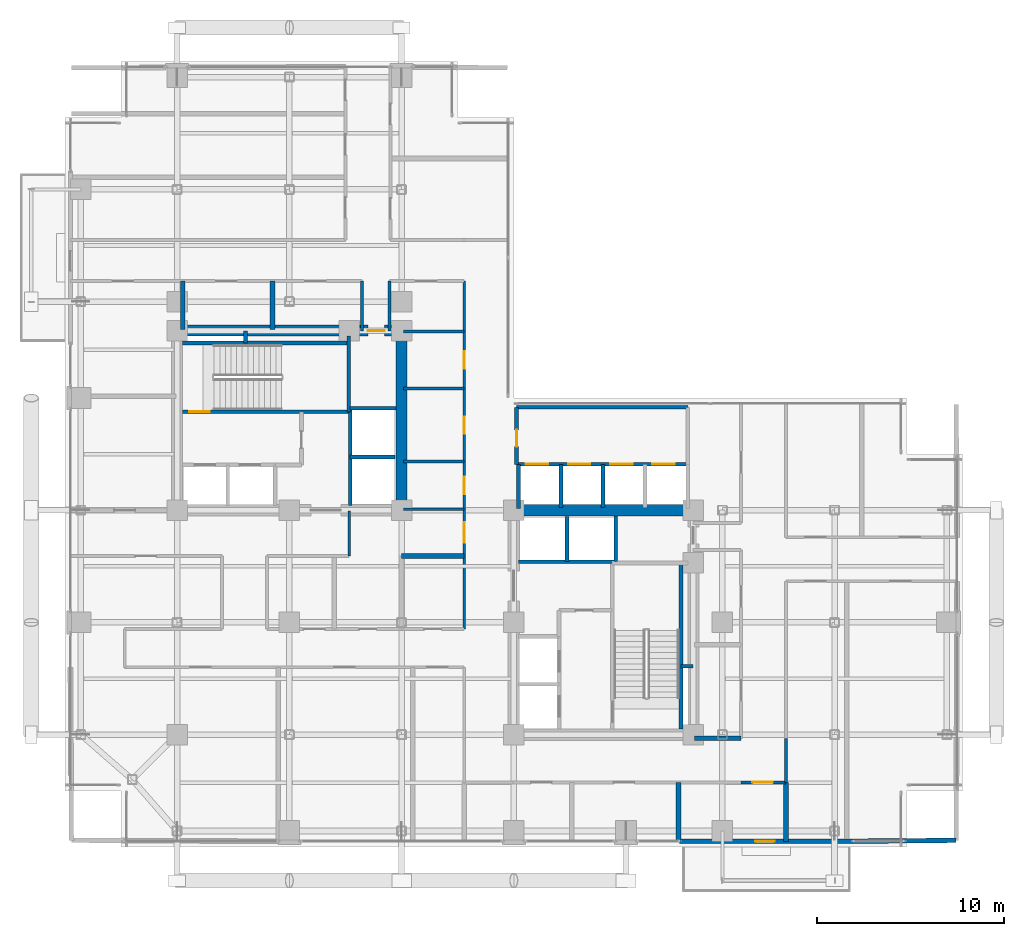
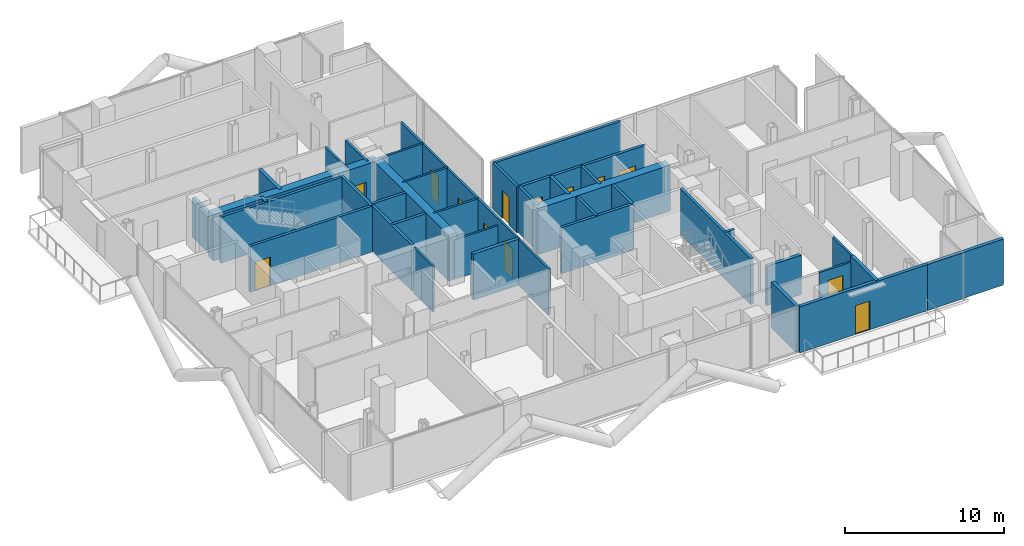
# One storey, part 23 of 28: 39 walls, 13 doors, 13 openings.
"""IFC4 building model written with IfcOpenShell, lengths in metres."""

from ifc_helpers import new_model, si_unit, direction, frame, frame_2d, origin, place, context, subcontext, project, spatial, rectangle, extrude, material, layer, layer_set, type_object, element, fill, save


model = new_model("IFC4")

# Units and contexts
model_context = context("Model", 3, precision=1e-05, world=origin(), true_north=direction((0.0, 1.0)))
body_context = subcontext(model_context, "Body", "Model", "MODEL_VIEW")
ifc_project = project(units=[si_unit("LENGTHUNIT", "METRE"), si_unit("AREAUNIT", "SQUARE_METRE"), si_unit("VOLUMEUNIT", "CUBIC_METRE"), si_unit("PLANEANGLEUNIT", "RADIAN"), si_unit("MASSUNIT", "GRAM", prefix="KILO"), si_unit("THERMODYNAMICTEMPERATUREUNIT", "KELVIN"), si_unit("POWERUNIT", "WATT")], contexts=[model_context])

# Site, building, storey
site_placement = place(None, origin())
site = spatial("IfcSite", under=ifc_project, at=site_placement, CompositionType="ELEMENT")
building_placement = place(site_placement, origin())
building = spatial("IfcBuilding", under=site, at=building_placement, Name="Svarakhadi Broadcast Tower", CompositionType="ELEMENT")
storey_placement = place(building_placement, frame((0.0, 0.0, 134.39990234375)))
storey = spatial("IfcBuildingStorey", under=building, at=storey_placement, Name="L32", CompositionType="ELEMENT", Elevation=134.39990234375)

# Walls
ifc_material_1 = material(Name="Double-Stud Acoustic Studio Partition STC-62", Category="gypsum")
ifc_layer_1 = layer(ifc_material_1, 0.25)
ifc_layer_set_1 = layer_set([ifc_layer_1], Name="Double-Stud Acoustic Studio Partition STC-62")
wall_type_1 = type_object("IfcWallType", Name="Wall_Acoust_250", PredefinedType="PARTITIONING", material=ifc_layer_set_1)
wall_1_placement = place(storey_placement, frame((18.0, 15.550048828125, 0.0), z_axis=(0.0, 0.0, 1.0), x_axis=(1.0, 0.0, 0.0)))
element("IfcWall", 1, at=wall_1_placement, inside=storey, type_object=wall_type_1, Name="L32 Accessible Floor Washroom WC Wall", PredefinedType="PARTITIONING", context=body_context, shape_type="SweptSolid", body=[
    extrude(rectangle(XDim=3.35009765625, YDim=0.25, at=frame_2d((1.675048828125, 0.0))), origin(), (0.0, 0.0, 1.0), 3.525146484375),
])
for number, where, z_axis, x_axis, name in (
    (2, (32.800048828125, 0.300048828125, 0.0), (0.0, 0.0, 1.0), (0.0, 1.0, 0.0), "L32 Client Preview Briefing Room Wall"),
    (3, (38.550048828125, 0.300048828125, 0.0), (0.0, 0.0, 1.0), (0.0, 1.0, 0.0), "L32 Artisanal Espresso Bar Wall"),
):
    element("IfcWall", number, at=place(storey_placement, frame(where, z_axis=z_axis, x_axis=x_axis)), inside=storey, type_object=wall_type_1, Name=name, PredefinedType="PARTITIONING", context=body_context, shape_type="SweptSolid", body=[
        extrude(rectangle(XDim=3.14990234375, YDim=0.25, at=frame_2d((1.574951171875, 0.0))), origin(), (0.0, 0.0, 1.0), 3.525146484375),
    ])
wall_2_placement = place(storey_placement, frame((6.300048828125, 27.64990234375, 0.0), z_axis=(0.0, 0.0, 1.0), x_axis=(0.0, 1.0, 0.0)))
element("IfcWall", 4, at=wall_2_placement, inside=storey, type_object=wall_type_1, Name="L32 Acoustic Dubbing Booth Wall", PredefinedType="PARTITIONING", context=body_context, shape_type="SweptSolid", body=[
    extrude(rectangle(XDim=2.60009765625, YDim=0.25, at=frame_2d((1.300048828125, 0.0))), origin(), (0.0, 0.0, 1.0), 3.01708984375),
])
wall_3_placement = place(storey_placement, frame((11.10009765625, 27.64990234375, 0.0), z_axis=(0.0, 0.0, 1.0), x_axis=(0.0, 1.0, 0.0)))
element("IfcWall", 5, at=wall_3_placement, inside=storey, type_object=wall_type_1, Name="L32 Acoustic Dubbing Booth Wall", PredefinedType="PARTITIONING", context=body_context, shape_type="SweptSolid", body=[
    extrude(rectangle(XDim=2.60009765625, YDim=0.25, at=frame_2d((1.300048828125, 0.0))), origin(), (0.0, 0.0, 1.0), 3.525146484375),
])
wall_4_placement = place(storey_placement, frame((33.64990234375, 5.800048828125, 0.0), z_axis=(0.0, 0.0, 1.0), x_axis=(1.0, 0.0, 0.0)))
element("IfcWall", 6, at=wall_4_placement, inside=storey, type_object=wall_type_1, Name="L32 Media Playout Monitoring Office Wall", PredefinedType="PARTITIONING", context=body_context, shape_type="SweptSolid", body=[
    extrude(rectangle(XDim=2.5, YDim=0.25, at=frame_2d((1.25, 0.0))), origin(), (0.0, 0.0, 1.0), 3.01708984375),
])
wall_5_placement = place(storey_placement, frame((42.14501953125, 0.302978515625, 0.0), z_axis=(0.0, 0.0, 1.0), x_axis=(0.999963369343, 0.008559203933, 0.0)))
element("IfcWall", 7, at=wall_5_placement, inside=storey, type_object=wall_type_1, Name="L32 Publicity Lounge Wall", PredefinedType="PARTITIONING", context=body_context, shape_type="SweptSolid", body=[
    extrude(rectangle(XDim=5.505126953125, YDim=0.25, at=frame_2d((2.75244140625, 0.0))), origin(), (0.0, 0.0, 1.0), 3.525146484375),
])

# Wall, opening, door
ifc_material_2 = material(Name="Concrete C40/50 (IS 456 M50)", Category="concrete")
ifc_layer_2 = layer(ifc_material_2, 0.239990234375)
ifc_layer_set_2 = layer_set([ifc_layer_2], Name="Concrete C40/50 (IS 456 M50)")
wall_type_2 = type_object("IfcWallType", Name="Wall_Ext_240", PredefinedType="SOLIDWALL", material=ifc_layer_set_2)
wall_6_placement = place(storey_placement, frame((42.14501953125, 0.300048828125, 0.0), z_axis=(0.0, 0.0, 1.0), x_axis=(-1.0, 0.0, 0.0)))
wall_6 = element("IfcWall", 8, at=wall_6_placement, inside=storey, type_object=wall_type_2, Name="L32 South Tree Balcony Spandrel Wall", PredefinedType="SOLIDWALL", context=body_context, shape_type="SweptSolid", body=[
    extrude(rectangle(XDim=9.2900390625, YDim=0.239990234375, at=frame_2d((4.64501953125, 0.0))), origin(), (0.0, 0.0, 1.0), 3.525146484375),
])
opening_1_placement = place(wall_6_placement, frame((4.199951171875, 0.0, 0.0)))
opening_1 = element("IfcOpeningElement", 9, at=opening_1_placement, cuts=wall_6, Name="Opening ED-06", PredefinedType="OPENING", context=body_context, shape_type="SweptSolid", body=[
    extrude(rectangle(XDim=1.050048828125, YDim=2.199951171875, at=frame_2d((0.52490234375, 1.10009765625))), frame((0.0, 0.1298828125, 0.0), z_axis=(0.0, -1.0, 0.0), x_axis=(1.0, 0.0, 0.0)), (0.0, 0.0, 1.0), 0.260009765625),
])
ifc_material_3 = material(Name="Anodised Bronze Aluminium AA 6063-T6", Category="aluminium")
door_type_1 = type_object("IfcDoorType", Name="Door_Ext_ED06", OperationType="SINGLE_SWING_RIGHT", PredefinedType="DOOR", material=ifc_material_3)
door_1_placement = place(opening_1_placement, origin())
door_1 = element("IfcDoor", 10, at=door_1_placement, inside=storey, type_object=door_type_1, Name="L32 South Tree Balcony Door", OperationType="SINGLE_SWING_RIGHT", OverallHeight=2.199951171875, OverallWidth=1.050048828125, PredefinedType="DOOR", context=body_context, shape_type="SweptSolid", body=[
    extrude(rectangle(XDim=1.050048828125, YDim=2.199951171875, at=frame_2d((0.52490234375, 1.10009765625))), frame((0.0, 0.02490234375, 0.0), z_axis=(0.0, -1.0, 0.0), x_axis=(1.0, 0.0, 0.0)), (0.0, 0.0, 1.0), 0.050048828125),
])
fill(opening_1, door_1)

# Walls
ifc_layer_3 = layer(ifc_material_2, 0.199951171875)
ifc_layer_set_3 = layer_set([ifc_layer_3], Name="Concrete C40/50 (IS 456 M50)")
wall_type_3 = type_object("IfcWallType", Name="Wall_Fire_200", PredefinedType="SOLIDWALL", material=ifc_layer_set_3)
for number, where, z_axis, x_axis, name in (
    (11, (9.659912109375, 26.93994140625, 0.0), (0.0, 0.0, 1.0), (0.0, 1.0, 0.0), "L32 Wet Riser Shaft East Wall"),
    (12, (32.93994140625, 9.659912109375, 0.0), (0.0, 0.0, 1.0), (1.0, 0.0, 0.0), "L32 HV Busduct Riser Shaft North Wall"),
):
    element("IfcWall", number, at=place(storey_placement, frame(where, z_axis=z_axis, x_axis=x_axis)), inside=storey, type_object=wall_type_3, Name=name, PredefinedType="SOLIDWALL", context=body_context, shape_type="SweptSolid", body=[
        extrude(rectangle(XDim=0.64013671875, YDim=0.199951171875, at=frame_2d((0.320068359375, 0.0))), origin(), (0.0, 0.0, 1.0), 3.525146484375),
    ])
ifc_material_4 = material(Name="Autoclaved Aerated Concrete Blockwork 150 mm", Category="masonry")
ifc_layer_4 = layer(ifc_material_4, 0.14990234375)
ifc_layer_set_4 = layer_set([ifc_layer_4], Name="Autoclaved Aerated Concrete Blockwork 150 mm")
wall_type_4 = type_object("IfcWallType", Name="Wall_Part_150", PredefinedType="PARTITIONING", material=ifc_layer_set_4)
wall_7_placement = place(storey_placement, frame((38.550048828125, 5.800048828125, 0.0), z_axis=(0.0, 0.0, 1.0), x_axis=(0.0, -1.0, 0.0)))
element("IfcWall", 13, at=wall_7_placement, inside=storey, type_object=wall_type_4, Name="L32 Zone 2/3 Corridor Wall", PredefinedType="PARTITIONING", context=body_context, shape_type="SweptSolid", body=[
    extrude(rectangle(XDim=2.35009765625, YDim=0.14990234375, at=frame_2d((1.175048828125, 0.0))), origin(), (0.0, 0.0, 1.0), 3.525146484375),
])

# Wall, opening, door
wall_8_placement = place(storey_placement, frame((38.550048828125, 3.449951171875, 0.0), z_axis=(0.0, 0.0, 1.0), x_axis=(-1.0, 0.0, 0.0)))
wall_8 = element("IfcWall", 14, at=wall_8_placement, inside=storey, type_object=wall_type_4, Name="L32 Zone 2/3 Corridor Wall", PredefinedType="PARTITIONING", context=body_context, shape_type="SweptSolid", body=[
    extrude(rectangle(XDim=2.400146484375, YDim=0.14990234375, at=frame_2d((1.2001953125, 0.0))), origin(), (0.0, 0.0, 1.0), 3.067138671875),
])
opening_2_placement = place(wall_8_placement, frame((0.699951171875, 0.0, 0.0)))
opening_2 = element("IfcOpeningElement", 15, at=opening_2_placement, cuts=wall_8, Name="Opening D-10", PredefinedType="OPENING", context=body_context, shape_type="SweptSolid", body=[
    extrude(rectangle(XDim=1.10009765625, YDim=2.25, at=frame_2d((0.550048828125, 1.125))), frame((0.0, 0.0849609375, 0.0), z_axis=(0.0, -1.0, 0.0), x_axis=(1.0, 0.0, 0.0)), (0.0, 0.0, 1.0), 0.169921875),
])
ifc_material_5 = material(Name="Solid-Core Teak Veneer Acoustic Timber Leaf", Category="wood")
door_type_2 = type_object("IfcDoorType", Name="Door_Acoust_D10", OperationType="SINGLE_SWING_LEFT", PredefinedType="DOOR", material=ifc_material_5)
door_2_placement = place(opening_2_placement, origin())
door_2 = element("IfcDoor", 16, at=door_2_placement, inside=storey, type_object=door_type_2, Name="L32 Artisanal Espresso Bar Door", OperationType="SINGLE_SWING_LEFT", OverallHeight=2.25, OverallWidth=1.10009765625, PredefinedType="DOOR", context=body_context, shape_type="SweptSolid", body=[
    extrude(rectangle(XDim=1.10009765625, YDim=2.25, at=frame_2d((0.550048828125, 1.125))), frame((0.0, 0.02490234375, 0.0), z_axis=(0.0, -1.0, 0.0), x_axis=(1.0, 0.0, 0.0)), (0.0, 0.0, 1.0), 0.050048828125),
])
fill(opening_2, door_2)

# Wall
wall_9_placement = place(storey_placement, frame((15.199951171875, 17.949951171875, 0.0), z_axis=(0.0, 0.0, 1.0), x_axis=(0.0, -1.0, 0.0)))
element("IfcWall", 17, at=wall_9_placement, inside=storey, type_object=wall_type_4, Name="L32 Zone 2/3 Corridor Wall", PredefinedType="PARTITIONING", context=body_context, shape_type="SweptSolid", body=[
    extrude(rectangle(XDim=2.39990234375, YDim=0.14990234375, at=frame_2d((1.199951171875, 0.0))), origin(), (0.0, 0.0, 1.0), 3.525146484375),
])

# Wall, openings, doors
wall_10_placement = place(storey_placement, frame((21.35009765625, 11.64990234375, 0.0), z_axis=(0.0, 0.0, 1.0), x_axis=(0.0, 1.0, 0.0)))
wall_10 = element("IfcWall", 18, at=wall_10_placement, inside=storey, type_object=wall_type_4, Name="L32 Zone 2/3 Corridor Wall", PredefinedType="PARTITIONING", context=body_context, shape_type="SweptSolid", body=[
    extrude(rectangle(XDim=18.60009765625, YDim=0.14990234375, at=frame_2d((9.300048828125, 0.0))), origin(), (0.0, 0.0, 1.0), 3.525146484375),
])
opening_3_placement = place(wall_10_placement, frame((7.199951171875, 0.0, 0.0)))
opening_3 = element("IfcOpeningElement", 19, at=opening_3_placement, cuts=wall_10, Name="Opening D-06", PredefinedType="OPENING", context=body_context, shape_type="SweptSolid", body=[
    extrude(rectangle(XDim=0.949951171875, YDim=2.14990234375, at=frame_2d((0.47509765625, 1.074951171875))), frame((0.0, 0.0849609375, 0.0), z_axis=(0.0, -1.0, 0.0), x_axis=(1.0, 0.0, 0.0)), (0.0, 0.0, 1.0), 0.169921875),
])
opening_4_placement = place(wall_10_placement, frame((10.449951171875, 0.0, 0.0)))
opening_4 = element("IfcOpeningElement", 20, at=opening_4_placement, cuts=wall_10, Name="Opening D-13", PredefinedType="OPENING", context=body_context, shape_type="SweptSolid", body=[
    extrude(rectangle(XDim=0.89990234375, YDim=2.10009765625, at=frame_2d((0.449951171875, 1.050048828125))), frame((0.0, 0.0849609375, 0.0), z_axis=(0.0, -1.0, 0.0), x_axis=(1.0, 0.0, 0.0)), (0.0, 0.0, 1.0), 0.169921875),
])
opening_5_placement = place(wall_10_placement, frame((13.89990234375, 0.0, 0.0)))
opening_5 = element("IfcOpeningElement", 21, at=opening_5_placement, cuts=wall_10, Name="Opening D-06", PredefinedType="OPENING", context=body_context, shape_type="SweptSolid", body=[
    extrude(rectangle(XDim=0.949951171875, YDim=2.14990234375, at=frame_2d((0.47509765625, 1.074951171875))), frame((0.0, 0.0849609375, 0.0), z_axis=(0.0, -1.0, 0.0), x_axis=(1.0, 0.0, 0.0)), (0.0, 0.0, 1.0), 0.169921875),
])
opening_6_placement = place(wall_10_placement, frame((4.60009765625, 0.0, 0.0)))
opening_6 = element("IfcOpeningElement", 22, at=opening_6_placement, cuts=wall_10, Name="Opening D-11", PredefinedType="OPENING", context=body_context, shape_type="SweptSolid", body=[
    extrude(rectangle(XDim=1.10009765625, YDim=2.25, at=frame_2d((0.550048828125, 1.125))), frame((0.0, 0.0849609375, 0.0), z_axis=(0.0, -1.0, 0.0), x_axis=(1.0, 0.0, 0.0)), (0.0, 0.0, 1.0), 0.169921875),
])
door_type_3 = type_object("IfcDoorType", Name="Door_Acoust_D11", OperationType="SINGLE_SWING_RIGHT", PredefinedType="DOOR", material=ifc_material_5)
door_3_placement = place(opening_6_placement, origin())
door_3 = element("IfcDoor", 23, at=door_3_placement, inside=storey, type_object=door_type_3, Name="L32 Executive Review Pod Door", OperationType="SINGLE_SWING_RIGHT", OverallHeight=2.25, OverallWidth=1.10009765625, PredefinedType="DOOR", context=body_context, shape_type="SweptSolid", body=[
    extrude(rectangle(XDim=1.10009765625, YDim=2.25, at=frame_2d((0.550048828125, 1.125))), frame((0.0, 0.02490234375, 0.0), z_axis=(0.0, -1.0, 0.0), x_axis=(1.0, 0.0, 0.0)), (0.0, 0.0, 1.0), 0.050048828125),
])
fill(opening_6, door_3)
door_type_4 = type_object("IfcDoorType", Name="Door_Closet_D13", OperationType="SINGLE_SWING_RIGHT", PredefinedType="DOOR", material=ifc_material_5)
door_4_placement = place(opening_4_placement, origin())
door_4 = element("IfcDoor", 24, at=door_4_placement, inside=storey, type_object=door_type_4, Name="L32 Accessible Guest Washroom WC Door", OperationType="SINGLE_SWING_RIGHT", OverallHeight=2.10009765625, OverallWidth=0.89990234375, PredefinedType="DOOR", context=body_context, shape_type="SweptSolid", body=[
    extrude(rectangle(XDim=0.89990234375, YDim=2.10009765625, at=frame_2d((0.449951171875, 1.050048828125))), frame((0.0, 0.02490234375, 0.0), z_axis=(0.0, -1.0, 0.0), x_axis=(1.0, 0.0, 0.0)), (0.0, 0.0, 1.0), 0.050048828125),
])
fill(opening_4, door_4)
door_type_5 = type_object("IfcDoorType", Name="Door_Office_D06", OperationType="SINGLE_SWING_LEFT", PredefinedType="DOOR", material=ifc_material_5)
door_5_placement = place(opening_3_placement, origin())
door_5 = element("IfcDoor", 25, at=door_5_placement, inside=storey, type_object=door_type_5, Name="L32 Broadcast Editorial Review Office Door", OperationType="SINGLE_SWING_LEFT", OverallHeight=2.14990234375, OverallWidth=0.949951171875, PredefinedType="DOOR", context=body_context, shape_type="SweptSolid", body=[
    extrude(rectangle(XDim=0.949951171875, YDim=2.14990234375, at=frame_2d((0.47509765625, 1.074951171875))), frame((0.0, 0.02490234375, 0.0), z_axis=(0.0, -1.0, 0.0), x_axis=(1.0, 0.0, 0.0)), (0.0, 0.0, 1.0), 0.050048828125),
])
fill(opening_3, door_5)
door_6_placement = place(opening_5_placement, origin())
door_6 = element("IfcDoor", 26, at=door_6_placement, inside=storey, type_object=door_type_5, Name="L32 Quiet Focus Booth Door", OperationType="SINGLE_SWING_LEFT", OverallHeight=2.14990234375, OverallWidth=0.949951171875, PredefinedType="DOOR", context=body_context, shape_type="SweptSolid", body=[
    extrude(rectangle(XDim=0.949951171875, YDim=2.14990234375, at=frame_2d((0.47509765625, 1.074951171875))), frame((0.0, 0.02490234375, 0.0), z_axis=(0.0, -1.0, 0.0), x_axis=(1.0, 0.0, 0.0)), (0.0, 0.0, 1.0), 0.050048828125),
])
fill(opening_5, door_6)

# Walls
for number, where, z_axis, x_axis, name in (
    (27, (17.35009765625, 30.25, 0.0), (0.0, 0.0, 1.0), (0.0, -1.0, 0.0), "L32 Zone 2/3 Corridor Wall"),
    (28, (15.8798828125, 27.580078125, 0.0), (0.0, 0.0, 1.0), (0.0, 1.0, 0.0), "L32 Zone 2/3 Corridor Wall"),
):
    element("IfcWall", number, at=place(storey_placement, frame(where, z_axis=z_axis, x_axis=x_axis)), inside=storey, type_object=wall_type_4, Name=name, PredefinedType="PARTITIONING", context=body_context, shape_type="SweptSolid", body=[
        extrude(rectangle(XDim=2.669921875, YDim=0.14990234375, at=frame_2d((1.3349609375, 0.0))), origin(), (0.0, 0.0, 1.0), 3.525146484375),
    ])
wall_11_placement = place(storey_placement, frame((18.10009765625, 18.050048828125, 0.0), z_axis=(0.0, 0.0, 1.0), x_axis=(1.0, 0.0, 0.0)))
element("IfcWall", 29, at=wall_11_placement, inside=storey, type_object=wall_type_4, Name="L32 Broadcast Editorial Review Office Wall", PredefinedType="PARTITIONING", context=body_context, shape_type="SweptSolid", body=[
    extrude(rectangle(XDim=3.25, YDim=0.14990234375, at=frame_2d((1.625, 0.0))), origin(), (0.0, 0.0, 1.0), 3.01708984375),
])
for number, where, z_axis, x_axis, name in (
    (30, (18.10009765625, 20.60009765625, 0.0), (0.0, 0.0, 1.0), (1.0, 0.0, 0.0), "L32 Broadcast Editorial Review Office Wall"),
    (31, (18.10009765625, 24.5, 0.0), (0.0, 0.0, 1.0), (1.0, 0.0, 0.0), "L32 Accessible Guest Washroom WC Wall"),
    (32, (18.10009765625, 27.550048828125, 0.0), (0.0, 0.0, 1.0), (1.0, 0.0, 0.0), "L32 Quiet Focus Booth Wall"),
):
    element("IfcWall", number, at=place(storey_placement, frame(where, z_axis=z_axis, x_axis=x_axis)), inside=storey, type_object=wall_type_4, Name=name, PredefinedType="PARTITIONING", context=body_context, shape_type="SweptSolid", body=[
        extrude(rectangle(XDim=3.25, YDim=0.14990234375, at=frame_2d((1.625, 0.0))), origin(), (0.0, 0.0, 1.0), 3.525146484375),
    ])

# Wall, opening, door
ifc_material_6 = material(Name="Concrete C50/60 (IS 456 M60)", Category="concrete")
ifc_layer_5 = layer(ifc_material_6, 0.199951171875)
ifc_layer_set_5 = layer_set([ifc_layer_5], Name="Concrete C50/60 (IS 456 M60)")
wall_type_5 = type_object("IfcWallType", Name="Wall_Shear_200", PredefinedType="SHEAR", material=ifc_layer_set_5)
wall_12_placement = place(storey_placement, frame((6.300048828125, 23.260009765625, 0.0), z_axis=(0.0, 0.0, 1.0), x_axis=(1.0, 0.0, 0.0)))
wall_12 = element("IfcWall", 33, at=wall_12_placement, inside=storey, type_object=wall_type_5, Name="L32 Stair ST-01 South RC Shaft Wall", PredefinedType="SHEAR", context=body_context, shape_type="SweptSolid", body=[
    extrude(rectangle(XDim=8.8798828125, YDim=0.199951171875, at=frame_2d((4.43994140625, 0.0))), origin(), (0.0, 0.0, 1.0), 3.525146484375),
])
opening_7_placement = place(wall_12_placement, frame((0.35009765625, 0.0, 0.0)))
opening_7 = element("IfcOpeningElement", 34, at=opening_7_placement, cuts=wall_12, Name="Opening D-01", PredefinedType="OPENING", context=body_context, shape_type="SweptSolid", body=[
    extrude(rectangle(XDim=1.10009765625, YDim=2.199951171875, at=frame_2d((0.550048828125, 1.10009765625))), frame((0.0, 0.10986328125, 0.0), z_axis=(0.0, -1.0, 0.0), x_axis=(1.0, 0.0, 0.0)), (0.0, 0.0, 1.0), 0.219970703125),
])
ifc_material_7 = material(Name="Galvanised Powder-Coated Fire-Rated Steel Leaf", Category="steel")
door_type_6 = type_object("IfcDoorType", Name="Door_Stair_D01", OperationType="SINGLE_SWING_LEFT", PredefinedType="DOOR", material=ifc_material_7)
door_7_placement = place(opening_7_placement, origin())
door_7 = element("IfcDoor", 35, at=door_7_placement, inside=storey, type_object=door_type_6, Name="L32 Protected Exit Stair ST-01 Fire Door", OperationType="SINGLE_SWING_LEFT", OverallHeight=2.199951171875, OverallWidth=1.10009765625, PredefinedType="DOOR", context=body_context, shape_type="SweptSolid", body=[
    extrude(rectangle(XDim=1.10009765625, YDim=2.199951171875, at=frame_2d((0.550048828125, 1.10009765625))), frame((0.0, 0.02490234375, 0.0), z_axis=(0.0, -1.0, 0.0), x_axis=(1.0, 0.0, 0.0)), (0.0, 0.0, 1.0), 0.050048828125),
])
fill(opening_7, door_7)

# Walls
wall_13_placement = place(storey_placement, frame((6.300048828125, 26.93994140625, 0.0), z_axis=(0.0, 0.0, 1.0), x_axis=(1.0, 0.0, 0.0)))
element("IfcWall", 36, at=wall_13_placement, inside=storey, type_object=wall_type_5, Name="L32 Stair ST-01 North RC Shaft Wall", PredefinedType="SHEAR", context=body_context, shape_type="SweptSolid", body=[
    extrude(rectangle(XDim=8.8798828125, YDim=0.199951171875, at=frame_2d((4.43994140625, 0.0))), origin(), (0.0, 0.0, 1.0), 3.525146484375),
])
wall_14_placement = place(storey_placement, frame((15.179931640625, 23.260009765625, 0.0), z_axis=(0.0, 0.0, 1.0), x_axis=(0.0, 1.0, 0.0)))
element("IfcWall", 37, at=wall_14_placement, inside=storey, type_object=wall_type_5, Name="L32 Stair ST-01 East RC Shaft Wall", PredefinedType="SHEAR", context=body_context, shape_type="SweptSolid", body=[
    extrude(rectangle(XDim=4.0400390625, YDim=0.199951171875, at=frame_2d((2.02001953125, 0.0))), origin(), (0.0, 0.0, 1.0), 3.525146484375),
])
wall_15_placement = place(storey_placement, frame((32.93994140625, 6.300048828125, 0.0), z_axis=(0.0, 0.0, 1.0), x_axis=(0.0, 1.0, 0.0)))
element("IfcWall", 38, at=wall_15_placement, inside=storey, type_object=wall_type_5, Name="L32 Stair ST-02 East RC Shaft Wall", PredefinedType="SHEAR", context=body_context, shape_type="SweptSolid", body=[
    extrude(rectangle(XDim=8.8798828125, YDim=0.199951171875, at=frame_2d((4.43994140625, 0.0))), origin(), (0.0, 0.0, 1.0), 3.525146484375),
])
wall_16_placement = place(storey_placement, frame((15.25, 18.25, 0.0), z_axis=(0.0, 0.0, 1.0), x_axis=(0.0, 1.0, 0.0)))
element("IfcWall", 39, at=wall_16_placement, inside=storey, type_object=wall_type_5, Name="L32 High-Rise Lift LF-13/14 West Shaft Wall", PredefinedType="SHEAR", context=body_context, shape_type="SweptSolid", body=[
    extrude(rectangle(XDim=5.199951171875, YDim=0.199951171875, at=frame_2d((2.60009765625, 0.0))), origin(), (0.0, 0.0, 1.0), 3.525146484375),
])
wall_17_placement = place(storey_placement, frame((15.25, 20.85009765625, 0.0), z_axis=(0.0, 0.0, 1.0), x_axis=(1.0, 0.0, 0.0)))
element("IfcWall", 40, at=wall_17_placement, inside=storey, type_object=wall_type_5, Name="L32 High-Rise Lift LF-13/14 Divider", PredefinedType="SHEAR", context=body_context, shape_type="SweptSolid", body=[
    extrude(rectangle(XDim=2.39990234375, YDim=0.199951171875, at=frame_2d((1.199951171875, 0.0))), origin(), (0.0, 0.0, 1.0), 3.525146484375),
])
wall_18_placement = place(storey_placement, frame((15.25, 23.449951171875, 0.0), z_axis=(0.0, 0.0, 1.0), x_axis=(1.0, 0.0, 0.0)))
element("IfcWall", 41, at=wall_18_placement, inside=storey, type_object=wall_type_5, Name="L32 High-Rise Lift LF-13/14 North Wall", PredefinedType="SHEAR", context=body_context, shape_type="SweptSolid", body=[
    extrude(rectangle(XDim=2.449951171875, YDim=0.199951171875, at=frame_2d((1.22509765625, 0.0))), origin(), (0.0, 0.0, 1.0), 3.525146484375),
])
wall_19_placement = place(storey_placement, frame((24.25, 15.25, 0.0), z_axis=(0.0, 0.0, 1.0), x_axis=(1.0, 0.0, 0.0)))
element("IfcWall", 42, at=wall_19_placement, inside=storey, type_object=wall_type_5, Name="L32 High-Rise Lift LF-15/16 South Shaft Wall", PredefinedType="SHEAR", context=body_context, shape_type="SweptSolid", body=[
    extrude(rectangle(XDim=5.199951171875, YDim=0.199951171875, at=frame_2d((2.60009765625, 0.0))), origin(), (0.0, 0.0, 1.0), 3.525146484375),
])
wall_20_placement = place(storey_placement, frame((26.85009765625, 15.25, 0.0), z_axis=(0.0, 0.0, 1.0), x_axis=(0.0, 1.0, 0.0)))
element("IfcWall", 43, at=wall_20_placement, inside=storey, type_object=wall_type_5, Name="L32 High-Rise Lift LF-15/16 Divider", PredefinedType="SHEAR", context=body_context, shape_type="SweptSolid", body=[
    extrude(rectangle(XDim=2.39990234375, YDim=0.199951171875, at=frame_2d((1.199951171875, 0.0))), origin(), (0.0, 0.0, 1.0), 3.525146484375),
])
wall_21_placement = place(storey_placement, frame((29.449951171875, 15.25, 0.0), z_axis=(0.0, 0.0, 1.0), x_axis=(0.0, 1.0, 0.0)))
element("IfcWall", 44, at=wall_21_placement, inside=storey, type_object=wall_type_5, Name="L32 High-Rise Lift LF-15/16 East Wall", PredefinedType="SHEAR", context=body_context, shape_type="SweptSolid", body=[
    extrude(rectangle(XDim=2.449951171875, YDim=0.199951171875, at=frame_2d((1.22509765625, 0.0))), origin(), (0.0, 0.0, 1.0), 3.525146484375),
])
wall_22_placement = place(storey_placement, frame((24.25, 18.10009765625, 0.0), z_axis=(0.0, 0.0, 1.0), x_axis=(0.0, 1.0, 0.0)))
element("IfcWall", 45, at=wall_22_placement, inside=storey, type_object=wall_type_5, Name="L32 Bank B West Shaft Wall", PredefinedType="SHEAR", context=body_context, shape_type="SweptSolid", body=[
    extrude(rectangle(XDim=2.349853515625, YDim=0.199951171875, at=frame_2d((1.1748046875, 0.0))), origin(), (0.0, 0.0, 1.0), 3.525146484375),
])

# Wall, openings, doors
wall_23_placement = place(storey_placement, frame((24.25, 20.449951171875, 0.0), z_axis=(0.0, 0.0, 1.0), x_axis=(1.0, 0.0, 0.0)))
wall_23 = element("IfcWall", 46, at=wall_23_placement, inside=storey, type_object=wall_type_5, Name="L32 Bank B North Landing Wall", PredefinedType="SHEAR", context=body_context, shape_type="SweptSolid", body=[
    extrude(rectangle(XDim=9.050048828125, YDim=0.199951171875, at=frame_2d((4.52490234375, 0.0))), origin(), (0.0, 0.0, 1.0), 3.525146484375),
])
opening_8_placement = place(wall_23_placement, frame((0.39990234375, 0.0, 0.0)))
opening_8 = element("IfcOpeningElement", 47, at=opening_8_placement, cuts=wall_23, Name="Opening LD-02", PredefinedType="OPENING", context=body_context, shape_type="SweptSolid", body=[
    extrude(rectangle(XDim=1.199951171875, YDim=2.199951171875, at=frame_2d((0.60009765625, 1.10009765625))), frame((0.0, 0.10986328125, 0.0), z_axis=(0.0, -1.0, 0.0), x_axis=(1.0, 0.0, 0.0)), (0.0, 0.0, 1.0), 0.219970703125),
])
opening_9_placement = place(wall_23_placement, frame((2.64990234375, 0.0, 0.0)))
opening_9 = element("IfcOpeningElement", 48, at=opening_9_placement, cuts=wall_23, Name="Opening LD-02", PredefinedType="OPENING", context=body_context, shape_type="SweptSolid", body=[
    extrude(rectangle(XDim=1.199951171875, YDim=2.199951171875, at=frame_2d((0.60009765625, 1.10009765625))), frame((0.0, 0.10986328125, 0.0), z_axis=(0.0, -1.0, 0.0), x_axis=(1.0, 0.0, 0.0)), (0.0, 0.0, 1.0), 0.219970703125),
])
opening_10_placement = place(wall_23_placement, frame((4.89990234375, 0.0, 0.0)))
opening_10 = element("IfcOpeningElement", 49, at=opening_10_placement, cuts=wall_23, Name="Opening LD-02", PredefinedType="OPENING", context=body_context, shape_type="SweptSolid", body=[
    extrude(rectangle(XDim=1.199951171875, YDim=2.199951171875, at=frame_2d((0.60009765625, 1.10009765625))), frame((0.0, 0.10986328125, 0.0), z_axis=(0.0, -1.0, 0.0), x_axis=(1.0, 0.0, 0.0)), (0.0, 0.0, 1.0), 0.219970703125),
])
opening_11_placement = place(wall_23_placement, frame((7.14990234375, 0.0, 0.0)))
opening_11 = element("IfcOpeningElement", 50, at=opening_11_placement, cuts=wall_23, Name="Opening LD-02", PredefinedType="OPENING", context=body_context, shape_type="SweptSolid", body=[
    extrude(rectangle(XDim=1.199951171875, YDim=2.199951171875, at=frame_2d((0.60009765625, 1.10009765625))), frame((0.0, 0.10986328125, 0.0), z_axis=(0.0, -1.0, 0.0), x_axis=(1.0, 0.0, 0.0)), (0.0, 0.0, 1.0), 0.219970703125),
])
door_type_7 = type_object("IfcDoorType", Name="Door_Lift_LD02", OperationType="SLIDING_TO_RIGHT", PredefinedType="DOOR", material=ifc_material_7)
door_8_placement = place(opening_8_placement, origin())
door_8 = element("IfcDoor", 51, at=door_8_placement, inside=storey, type_object=door_type_7, Name="L32 Mid-Rise Lift LF-09 Landing Door", OperationType="SLIDING_TO_RIGHT", OverallHeight=2.199951171875, OverallWidth=1.199951171875, PredefinedType="DOOR", context=body_context, shape_type="SweptSolid", body=[
    extrude(rectangle(XDim=1.199951171875, YDim=2.199951171875, at=frame_2d((0.60009765625, 1.10009765625))), frame((0.0, 0.02490234375, 0.0), z_axis=(0.0, -1.0, 0.0), x_axis=(1.0, 0.0, 0.0)), (0.0, 0.0, 1.0), 0.050048828125),
])
fill(opening_8, door_8)
door_9_placement = place(opening_9_placement, origin())
door_9 = element("IfcDoor", 52, at=door_9_placement, inside=storey, type_object=door_type_7, Name="L32 Mid-Rise Lift LF-10 Landing Door", OperationType="SLIDING_TO_RIGHT", OverallHeight=2.199951171875, OverallWidth=1.199951171875, PredefinedType="DOOR", context=body_context, shape_type="SweptSolid", body=[
    extrude(rectangle(XDim=1.199951171875, YDim=2.199951171875, at=frame_2d((0.60009765625, 1.10009765625))), frame((0.0, 0.02490234375, 0.0), z_axis=(0.0, -1.0, 0.0), x_axis=(1.0, 0.0, 0.0)), (0.0, 0.0, 1.0), 0.050048828125),
])
fill(opening_9, door_9)
door_10_placement = place(opening_10_placement, origin())
door_10 = element("IfcDoor", 53, at=door_10_placement, inside=storey, type_object=door_type_7, Name="L32 Mid-Rise Lift LF-11 Landing Door", OperationType="SLIDING_TO_RIGHT", OverallHeight=2.199951171875, OverallWidth=1.199951171875, PredefinedType="DOOR", context=body_context, shape_type="SweptSolid", body=[
    extrude(rectangle(XDim=1.199951171875, YDim=2.199951171875, at=frame_2d((0.60009765625, 1.10009765625))), frame((0.0, 0.02490234375, 0.0), z_axis=(0.0, -1.0, 0.0), x_axis=(1.0, 0.0, 0.0)), (0.0, 0.0, 1.0), 0.050048828125),
])
fill(opening_10, door_10)
door_11_placement = place(opening_11_placement, origin())
door_11 = element("IfcDoor", 54, at=door_11_placement, inside=storey, type_object=door_type_7, Name="L32 Mid-Rise Lift LF-12 Landing Door", OperationType="SLIDING_TO_RIGHT", OverallHeight=2.199951171875, OverallWidth=1.199951171875, PredefinedType="DOOR", context=body_context, shape_type="SweptSolid", body=[
    extrude(rectangle(XDim=1.199951171875, YDim=2.199951171875, at=frame_2d((0.60009765625, 1.10009765625))), frame((0.0, 0.02490234375, 0.0), z_axis=(0.0, -1.0, 0.0), x_axis=(1.0, 0.0, 0.0)), (0.0, 0.0, 1.0), 0.050048828125),
])
fill(opening_11, door_11)

# Walls
for number, where, z_axis, x_axis, name in (
    (55, (26.52001953125, 18.14990234375, 0.0), (0.0, 0.0, 1.0), (0.0, 1.0, 0.0), "L32 Bank B Divider"),
    (56, (28.77001953125, 18.14990234375, 0.0), (0.0, 0.0, 1.0), (0.0, 1.0, 0.0), "L32 Bank B Divider"),
):
    element("IfcWall", number, at=place(storey_placement, frame(where, z_axis=z_axis, x_axis=x_axis)), inside=storey, type_object=wall_type_5, Name=name, PredefinedType="SHEAR", context=body_context, shape_type="SweptSolid", body=[
        extrude(rectangle(XDim=2.300048828125, YDim=0.199951171875, at=frame_2d((1.14990234375, 0.0))), origin(), (0.0, 0.0, 1.0), 3.525146484375),
    ])
wall_24_placement = place(storey_placement, frame((24.14990234375, 23.5, 0.0), z_axis=(0.0, 0.0, 1.0), x_axis=(1.0, 0.0, 0.0)))
element("IfcWall", 57, at=wall_24_placement, inside=storey, type_object=wall_type_5, Name="L32 Bank B Lift Hall North Wall", PredefinedType="SHEAR", context=body_context, shape_type="SweptSolid", body=[
    extrude(rectangle(XDim=9.150146484375, YDim=0.199951171875, at=frame_2d((4.5751953125, 0.0))), origin(), (0.0, 0.0, 1.0), 3.525146484375),
])

# Wall, opening, door
wall_25_placement = place(storey_placement, frame((24.14990234375, 20.449951171875, 0.0), z_axis=(0.0, 0.0, 1.0), x_axis=(0.0, 1.0, 0.0)))
wall_25 = element("IfcWall", 58, at=wall_25_placement, inside=storey, type_object=wall_type_5, Name="L32 Bank B Lift Hall West Wall", PredefinedType="SHEAR", context=body_context, shape_type="SweptSolid", body=[
    extrude(rectangle(XDim=3.050048828125, YDim=0.199951171875, at=frame_2d((1.52490234375, 0.0))), origin(), (0.0, 0.0, 1.0), 3.525146484375),
])
opening_12_placement = place(wall_25_placement, frame((0.949951171875, 0.0, 0.0)))
opening_12 = element("IfcOpeningElement", 59, at=opening_12_placement, cuts=wall_25, Name="Opening D-03", PredefinedType="OPENING", context=body_context, shape_type="SweptSolid", body=[
    extrude(rectangle(XDim=0.89990234375, YDim=2.14990234375, at=frame_2d((0.449951171875, 1.074951171875))), frame((0.0, 0.10986328125, 0.0), z_axis=(0.0, -1.0, 0.0), x_axis=(1.0, 0.0, 0.0)), (0.0, 0.0, 1.0), 0.219970703125),
])
door_type_8 = type_object("IfcDoorType", Name="Door_Fire_D03", OperationType="SINGLE_SWING_LEFT", PredefinedType="DOOR", material=ifc_material_7)
door_12_placement = place(opening_12_placement, origin())
door_12 = element("IfcDoor", 60, at=door_12_placement, inside=storey, type_object=door_type_8, Name="L32 Mid-Rise Lift Hall West Corridor Door", OperationType="SINGLE_SWING_LEFT", OverallHeight=2.14990234375, OverallWidth=0.89990234375, PredefinedType="DOOR", context=body_context, shape_type="SweptSolid", body=[
    extrude(rectangle(XDim=0.89990234375, YDim=2.14990234375, at=frame_2d((0.449951171875, 1.074951171875))), frame((0.0, 0.02490234375, 0.0), z_axis=(0.0, -1.0, 0.0), x_axis=(1.0, 0.0, 0.0)), (0.0, 0.0, 1.0), 0.050048828125),
])
fill(opening_12, door_12)

ifc_material_8 = material(Name="Concrete C60/75 (IS 456 M70)", Category="concrete")
ifc_layer_6 = layer(ifc_material_8, 0.60009765625)
ifc_layer_set_6 = layer_set([ifc_layer_6], Name="Concrete C60/75 (IS 456 M70)")
wall_type_6 = type_object("IfcWallType", Name="Wall_Shear_600", PredefinedType="SHEAR", material=ifc_layer_set_6)
wall_26_placement = place(storey_placement, frame((6.0, 27.60009765625, 0.0), z_axis=(0.0, 0.0, 1.0), x_axis=(1.0, 0.0, 0.0)))
wall_26 = element("IfcWall", 61, at=wall_26_placement, inside=storey, type_object=wall_type_6, Name="L32 West Core North Shear Wall", PredefinedType="SHEAR", context=body_context, shape_type="SweptSolid", body=[
    extrude(rectangle(XDim=12.0, YDim=0.60009765625, at=frame_2d((6.0, 0.0))), origin(), (0.0, 0.0, 1.0), 3.525146484375),
])
opening_13_placement = place(wall_26_placement, frame((10.199951171875, 0.0, 0.0)))
opening_13 = element("IfcOpeningElement", 62, at=opening_13_placement, cuts=wall_26, Name="Opening D-04", PredefinedType="OPENING", context=body_context, shape_type="SweptSolid", body=[
    extrude(rectangle(XDim=0.89990234375, YDim=2.14990234375, at=frame_2d((0.449951171875, 1.074951171875))), frame((0.0, 0.31005859375, 0.0), z_axis=(0.0, -1.0, 0.0), x_axis=(1.0, 0.0, 0.0)), (0.0, 0.0, 1.0), 0.6201171875),
])
door_type_9 = type_object("IfcDoorType", Name="Door_Fire_D04", OperationType="SINGLE_SWING_RIGHT", PredefinedType="DOOR", material=ifc_material_7)
door_13_placement = place(opening_13_placement, origin())
door_13 = element("IfcDoor", 63, at=door_13_placement, inside=storey, type_object=door_type_9, Name="L32 Core Service Room West Door", OperationType="SINGLE_SWING_RIGHT", OverallHeight=2.14990234375, OverallWidth=0.89990234375, PredefinedType="DOOR", context=body_context, shape_type="SweptSolid", body=[
    extrude(rectangle(XDim=0.89990234375, YDim=2.14990234375, at=frame_2d((0.449951171875, 1.074951171875))), frame((0.0, 0.02490234375, 0.0), z_axis=(0.0, -1.0, 0.0), x_axis=(1.0, 0.0, 0.0)), (0.0, 0.0, 1.0), 0.050048828125),
])
fill(opening_13, door_13)

# Walls
for number, where, z_axis, x_axis, name in (
    (64, (18.0, 18.0, 0.0), (0.0, 0.0, 1.0), (0.0, 1.0, 0.0), "L32 West Core East Shear Wall"),
    (65, (24.0, 18.0, 0.0), (0.0, 0.0, 1.0), (1.0, 0.0, 0.0), "L32 East Core North Shear Wall"),
):
    element("IfcWall", number, at=place(storey_placement, frame(where, z_axis=z_axis, x_axis=x_axis)), inside=storey, type_object=wall_type_6, Name=name, PredefinedType="SHEAR", context=body_context, shape_type="SweptSolid", body=[
        extrude(rectangle(XDim=9.60009765625, YDim=0.60009765625, at=frame_2d((4.800048828125, 0.0))), origin(), (0.0, 0.0, 1.0), 3.525146484375),
    ])

save(model, "model.ifc")
